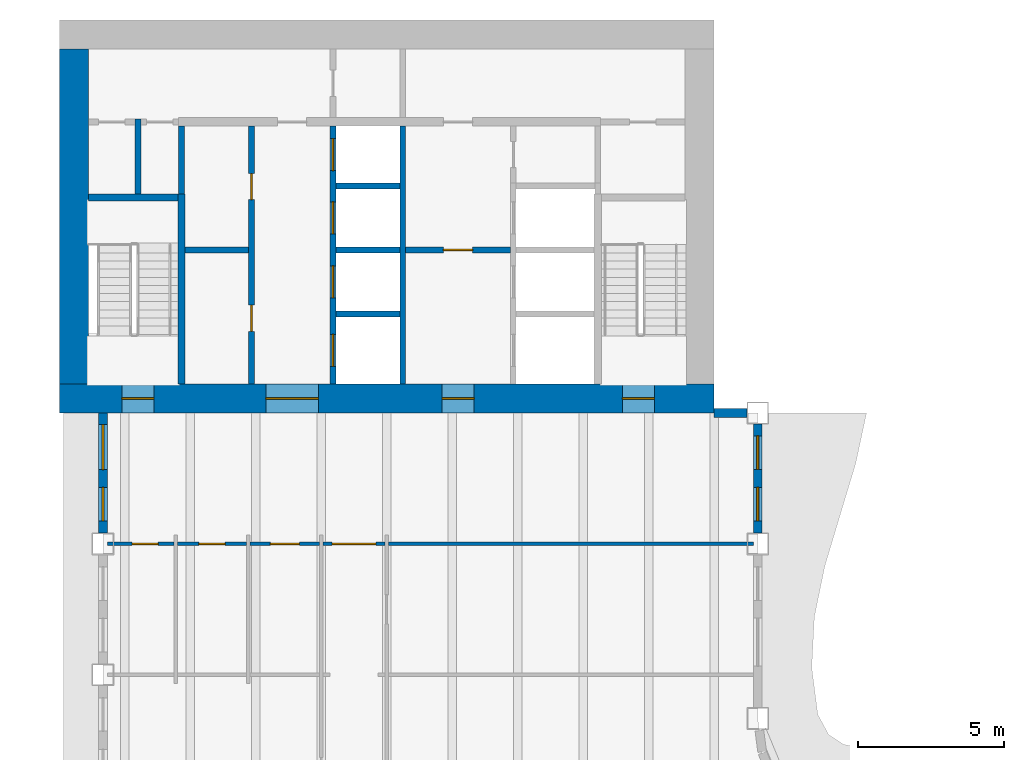
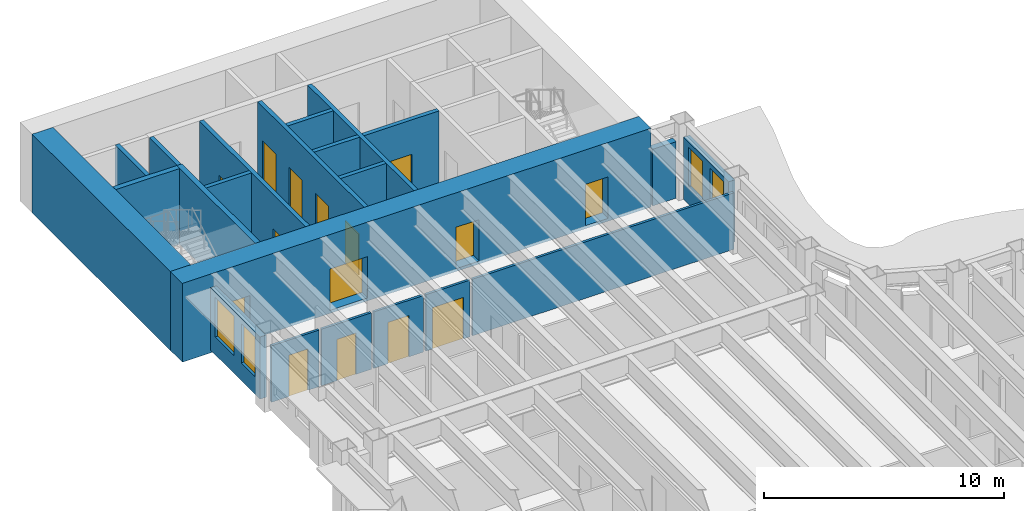
# One storey, part 9 of 17: 22 walls, 15 doors, 4 windows, 19 openings.
"""IFC4 building model written with IfcOpenShell, lengths in metres."""

from ifc_helpers import new_model, si_unit, direction, frame, frame_2d, origin, place, context, subcontext, project, spatial, rectangle, extrude, material, layer, layer_set, type_object, element, fill, save


model = new_model("IFC4")

# Units and contexts
model_context = context("Model", 3, precision=1e-05, world=origin(), true_north=direction((0.0, 1.0)))
body_context = subcontext(model_context, "Body", "Model", "MODEL_VIEW")
ifc_project = project(units=[si_unit("LENGTHUNIT", "METRE"), si_unit("AREAUNIT", "SQUARE_METRE"), si_unit("VOLUMEUNIT", "CUBIC_METRE"), si_unit("PLANEANGLEUNIT", "RADIAN"), si_unit("MASSUNIT", "GRAM", prefix="KILO")], contexts=[model_context])

# Site, building, storey
site_placement = place(None, origin())
site = spatial("IfcSite", under=ifc_project, at=site_placement, CompositionType="ELEMENT")
building_placement = place(site_placement, origin())
building = spatial("IfcBuilding", under=site, at=building_placement, Name="Sennacour Bend Tower", CompositionType="ELEMENT")
storey_placement = place(building_placement, frame((0.0, 0.0, 199.0)))
storey = spatial("IfcBuildingStorey", under=building, at=storey_placement, Name="L45", CompositionType="ELEMENT", Elevation=199.0)

# Wall, openings, doors
ifc_material_1 = material(Name="Concrete C60/75", Category="concrete")
ifc_layer_1 = layer(ifc_material_1, 1.0, Name="Concrete C60/75", Category="concrete")
ifc_layer_set_1 = layer_set([ifc_layer_1], Name="Concrete C60/75")
wall_type_1 = type_object("IfcWallType", Name="Core wall 1000 C60/75", PredefinedType="SHEAR", material=ifc_layer_set_1)
wall_1_placement = place(storey_placement, frame((0.0, 36.5, -0.14990234375), z_axis=(0.0, 0.0, 1.0), x_axis=(1.0, 0.0, 0.0)))
wall_1 = element("IfcWall", 1, at=wall_1_placement, inside=storey, type_object=wall_type_1, Name="Core B wall L45 S", PredefinedType="SHEAR", context=body_context, shape_type="SweptSolid", body=[
    extrude(rectangle(XDim=22.5, YDim=1.0, at=frame_2d((11.25, 0.0))), origin(), (0.0, 0.0, 1.0), 4.0),
])
opening_1_placement = place(wall_1_placement, frame((7.10009765625, 0.0, 0.14990234375)))
opening_1 = element("IfcOpeningElement", 2, at=opening_1_placement, cuts=wall_1, Name="Opening CD", PredefinedType="OPENING", context=body_context, shape_type="SweptSolid", body=[
    extrude(rectangle(XDim=1.800048828125, YDim=2.10009765625, at=frame_2d((0.89990234375, 1.050048828125))), frame((0.0, 0.510009765625, 0.0), z_axis=(0.0, -1.0, 0.0), x_axis=(1.0, 0.0, 0.0)), (0.0, 0.0, 1.0), 1.02001953125),
])
opening_2_placement = place(wall_1_placement, frame((13.14990234375, 0.0, 0.14990234375)))
opening_2 = element("IfcOpeningElement", 3, at=opening_2_placement, cuts=wall_1, Name="Opening FD", PredefinedType="OPENING", context=body_context, shape_type="SweptSolid", body=[
    extrude(rectangle(XDim=1.10009765625, YDim=2.10009765625, at=frame_2d((0.550048828125, 1.050048828125))), frame((0.0, 0.510009765625, 0.0), z_axis=(0.0, -1.0, 0.0), x_axis=(1.0, 0.0, 0.0)), (0.0, 0.0, 1.0), 1.02001953125),
])
opening_3_placement = place(wall_1_placement, frame((2.14990234375, 0.0, 0.14990234375)))
opening_3 = element("IfcOpeningElement", 4, at=opening_3_placement, cuts=wall_1, Name="Opening SD", PredefinedType="OPENING", context=body_context, shape_type="SweptSolid", body=[
    extrude(rectangle(XDim=1.10009765625, YDim=2.10009765625, at=frame_2d((0.550048828125, 1.050048828125))), frame((0.0, 0.510009765625, 0.0), z_axis=(0.0, -1.0, 0.0), x_axis=(1.0, 0.0, 0.0)), (0.0, 0.0, 1.0), 1.02001953125),
])
opening_4_placement = place(wall_1_placement, frame((19.35009765625, 0.0, 0.14990234375)))
opening_4 = element("IfcOpeningElement", 5, at=opening_4_placement, cuts=wall_1, Name="Opening SD", PredefinedType="OPENING", context=body_context, shape_type="SweptSolid", body=[
    extrude(rectangle(XDim=1.10009765625, YDim=2.10009765625, at=frame_2d((0.550048828125, 1.050048828125))), frame((0.0, 0.510009765625, 0.0), z_axis=(0.0, -1.0, 0.0), x_axis=(1.0, 0.0, 0.0)), (0.0, 0.0, 1.0), 1.02001953125),
])
ifc_material_2 = material(Name="Painted steel", Category="steel")
door_type_1 = type_object("IfcDoorType", Name="DR-FFL-1100", OperationType="NOTDEFINED", PredefinedType="DOOR", material=ifc_material_2)
door_1_placement = place(opening_2_placement, origin())
door_1 = element("IfcDoor", 6, at=door_1_placement, inside=storey, type_object=door_type_1, Name="Door", OperationType="SINGLE_SWING_RIGHT", OverallHeight=2.10009765625, OverallWidth=1.10009765625, PredefinedType="DOOR", context=body_context, shape_type="SweptSolid", body=[
    extrude(rectangle(XDim=1.10009765625, YDim=2.10009765625, at=frame_2d((0.550048828125, 1.050048828125))), frame((0.0, 0.02490234375, 0.0), z_axis=(0.0, -1.0, 0.0), x_axis=(1.0, 0.0, 0.0)), (0.0, 0.0, 1.0), 0.050048828125),
])
fill(opening_2, door_1)
door_type_2 = type_object("IfcDoorType", Name="DR-LOBBY-1800", OperationType="NOTDEFINED", PredefinedType="DOOR", material=ifc_material_2)
door_2_placement = place(opening_1_placement, origin())
door_2 = element("IfcDoor", 7, at=door_2_placement, inside=storey, type_object=door_type_2, Name="Door", OperationType="DOUBLE_DOOR_SINGLE_SWING", OverallHeight=2.10009765625, OverallWidth=1.800048828125, PredefinedType="DOOR", context=body_context, shape_type="SweptSolid", body=[
    extrude(rectangle(XDim=1.800048828125, YDim=2.10009765625, at=frame_2d((0.89990234375, 1.050048828125))), frame((0.0, 0.02490234375, 0.0), z_axis=(0.0, -1.0, 0.0), x_axis=(1.0, 0.0, 0.0)), (0.0, 0.0, 1.0), 0.050048828125),
])
fill(opening_1, door_2)
door_type_3 = type_object("IfcDoorType", Name="DR-STAIR-1100", OperationType="NOTDEFINED", PredefinedType="DOOR", material=ifc_material_2)
door_3_placement = place(opening_3_placement, origin())
door_3 = element("IfcDoor", 8, at=door_3_placement, inside=storey, type_object=door_type_3, Name="Door", OperationType="SINGLE_SWING_LEFT", OverallHeight=2.10009765625, OverallWidth=1.10009765625, PredefinedType="DOOR", context=body_context, shape_type="SweptSolid", body=[
    extrude(rectangle(XDim=1.10009765625, YDim=2.10009765625, at=frame_2d((0.550048828125, 1.050048828125))), frame((0.0, 0.02490234375, 0.0), z_axis=(0.0, -1.0, 0.0), x_axis=(1.0, 0.0, 0.0)), (0.0, 0.0, 1.0), 0.050048828125),
])
fill(opening_3, door_3)
door_4_placement = place(opening_4_placement, origin())
door_4 = element("IfcDoor", 9, at=door_4_placement, inside=storey, type_object=door_type_3, Name="Door", OperationType="SINGLE_SWING_RIGHT", OverallHeight=2.10009765625, OverallWidth=1.10009765625, PredefinedType="DOOR", context=body_context, shape_type="SweptSolid", body=[
    extrude(rectangle(XDim=1.10009765625, YDim=2.10009765625, at=frame_2d((0.550048828125, 1.050048828125))), frame((0.0, 0.02490234375, 0.0), z_axis=(0.0, -1.0, 0.0), x_axis=(1.0, 0.0, 0.0)), (0.0, 0.0, 1.0), 0.050048828125),
])
fill(opening_4, door_4)

# Wall
wall_2_placement = place(storey_placement, frame((0.5, 37.0, -0.14990234375), z_axis=(0.0, 0.0, 1.0), x_axis=(0.0, 1.0, 0.0)))
element("IfcWall", 10, at=wall_2_placement, inside=storey, type_object=wall_type_1, Name="Core B wall L45 W", PredefinedType="SHEAR", context=body_context, shape_type="SweptSolid", body=[
    extrude(rectangle(XDim=11.5, YDim=1.0, at=frame_2d((5.75, 0.0))), origin(), (0.0, 0.0, 1.0), 4.0),
])

# Wall, opening, door
ifc_material_3 = material(Name="Plasterboard partition on steel studs", Category="steel")
ifc_layer_2 = layer(ifc_material_3, 0.1201171875, Name="Plasterboard partition on steel studs", Category="steel")
ifc_layer_set_2 = layer_set([ifc_layer_2], Name="Plasterboard partition on steel studs")
wall_type_2 = type_object("IfcWallType", Name="Partition 120", PredefinedType="PARTITIONING", material=ifc_layer_set_2)
wall_3_placement = place(storey_placement, frame((1.64990234375, 31.5, 0.0), z_axis=(0.0, 0.0, 1.0), x_axis=(1.0, 0.0, 0.0)))
wall_3 = element("IfcWall", 11, at=wall_3_placement, inside=storey, type_object=wall_type_2, Name="P-L45-W086aa", PredefinedType="PARTITIONING", context=body_context, shape_type="SweptSolid", body=[
    extrude(rectangle(XDim=2.2900390625, YDim=0.1201171875, at=frame_2d((1.14501953125, 0.0))), origin(), (0.0, 0.0, 1.0), 2.8701171875),
])
opening_5_placement = place(wall_3_placement, frame((0.85009765625, 0.0, 0.0)))
opening_5 = element("IfcOpeningElement", 12, at=opening_5_placement, cuts=wall_3, Name="Opening WD", PredefinedType="OPENING", context=body_context, shape_type="SweptSolid", body=[
    extrude(rectangle(XDim=0.89990234375, YDim=2.10009765625, at=frame_2d((0.449951171875, 1.050048828125))), frame((0.0, 0.070068359375, 0.0), z_axis=(0.0, -1.0, 0.0), x_axis=(1.0, 0.0, 0.0)), (0.0, 0.0, 1.0), 0.14013671875),
])
ifc_material_4 = material(Name="Timber", Category="wood")
door_type_4 = type_object("IfcDoorType", Name="DR-WC-900", OperationType="NOTDEFINED", PredefinedType="DOOR", material=ifc_material_4)
door_5_placement = place(opening_5_placement, origin())
door_5 = element("IfcDoor", 13, at=door_5_placement, inside=storey, type_object=door_type_4, Name="Door", OperationType="SINGLE_SWING_RIGHT", OverallHeight=2.10009765625, OverallWidth=0.89990234375, PredefinedType="DOOR", context=body_context, shape_type="SweptSolid", body=[
    extrude(rectangle(XDim=0.89990234375, YDim=2.10009765625, at=frame_2d((0.449951171875, 1.050048828125))), frame((0.0, 0.02490234375, 0.0), z_axis=(0.0, -1.0, 0.0), x_axis=(1.0, 0.0, 0.0)), (0.0, 0.0, 1.0), 0.050048828125),
])
fill(opening_5, door_5)

wall_4_placement = place(storey_placement, frame((4.06005859375, 31.5, 0.0), z_axis=(0.0, 0.0, 1.0), x_axis=(1.0, 0.0, 0.0)))
wall_4 = element("IfcWall", 14, at=wall_4_placement, inside=storey, type_object=wall_type_2, Name="P-L45-W086ab", PredefinedType="PARTITIONING", context=body_context, shape_type="SweptSolid", body=[
    extrude(rectangle(XDim=2.3798828125, YDim=0.1201171875, at=frame_2d((1.18994140625, 0.0))), origin(), (0.0, 0.0, 1.0), 2.8701171875),
])
opening_6_placement = place(wall_4_placement, frame((0.739990234375, 0.0, 0.0)))
opening_6 = element("IfcOpeningElement", 15, at=opening_6_placement, cuts=wall_4, Name="Opening WD", PredefinedType="OPENING", context=body_context, shape_type="SweptSolid", body=[
    extrude(rectangle(XDim=0.89990234375, YDim=2.10009765625, at=frame_2d((0.449951171875, 1.050048828125))), frame((0.0, 0.070068359375, 0.0), z_axis=(0.0, -1.0, 0.0), x_axis=(1.0, 0.0, 0.0)), (0.0, 0.0, 1.0), 0.14013671875),
])
door_6_placement = place(opening_6_placement, origin())
door_6 = element("IfcDoor", 16, at=door_6_placement, inside=storey, type_object=door_type_4, Name="Door", OperationType="SINGLE_SWING_LEFT", OverallHeight=2.10009765625, OverallWidth=0.89990234375, PredefinedType="DOOR", context=body_context, shape_type="SweptSolid", body=[
    extrude(rectangle(XDim=0.89990234375, YDim=2.10009765625, at=frame_2d((0.449951171875, 1.050048828125))), frame((0.0, 0.02490234375, 0.0), z_axis=(0.0, -1.0, 0.0), x_axis=(1.0, 0.0, 0.0)), (0.0, 0.0, 1.0), 0.050048828125),
])
fill(opening_6, door_6)

wall_5_placement = place(storey_placement, frame((6.56005859375, 31.5, 0.0), z_axis=(0.0, 0.0, 1.0), x_axis=(1.0, 0.0, 0.0)))
wall_5 = element("IfcWall", 17, at=wall_5_placement, inside=storey, type_object=wall_type_2, Name="P-L45-W086ac", PredefinedType="PARTITIONING", context=body_context, shape_type="SweptSolid", body=[
    extrude(rectangle(XDim=2.3798828125, YDim=0.1201171875, at=frame_2d((1.18994140625, 0.0))), origin(), (0.0, 0.0, 1.0), 2.8701171875),
])
opening_7_placement = place(wall_5_placement, frame((0.68994140625, 0.0, 0.0)))
opening_7 = element("IfcOpeningElement", 18, at=opening_7_placement, cuts=wall_5, Name="Opening AD", PredefinedType="OPENING", context=body_context, shape_type="SweptSolid", body=[
    extrude(rectangle(XDim=1.0, YDim=2.10009765625, at=frame_2d((0.5, 1.050048828125))), frame((0.0, 0.070068359375, 0.0), z_axis=(0.0, -1.0, 0.0), x_axis=(1.0, 0.0, 0.0)), (0.0, 0.0, 1.0), 0.14013671875),
])
door_type_5 = type_object("IfcDoorType", Name="DR-ACC-WC-1000", OperationType="NOTDEFINED", PredefinedType="DOOR", material=ifc_material_4)
door_7_placement = place(opening_7_placement, origin())
door_7 = element("IfcDoor", 19, at=door_7_placement, inside=storey, type_object=door_type_5, Name="Door", OperationType="SINGLE_SWING_LEFT", OverallHeight=2.10009765625, OverallWidth=1.0, PredefinedType="DOOR", context=body_context, shape_type="SweptSolid", body=[
    extrude(rectangle(XDim=1.0, YDim=2.10009765625, at=frame_2d((0.5, 1.050048828125))), frame((0.0, 0.02490234375, 0.0), z_axis=(0.0, -1.0, 0.0), x_axis=(1.0, 0.0, 0.0)), (0.0, 0.0, 1.0), 0.050048828125),
])
fill(opening_7, door_7)

# Wall
wall_6_placement = place(storey_placement, frame((11.31005859375, 31.5, 0.0), z_axis=(0.0, 0.0, 1.0), x_axis=(1.0, 0.0, 0.0)))
element("IfcWall", 20, at=wall_6_placement, inside=storey, type_object=wall_type_2, Name="P-L45-W086ae", PredefinedType="PARTITIONING", context=body_context, shape_type="SweptSolid", body=[
    extrude(rectangle(XDim=12.5400390625, YDim=0.1201171875, at=frame_2d((6.27001953125, 0.0))), origin(), (0.0, 0.0, 1.0), 2.8701171875),
])

# Wall, opening, door
ifc_layer_3 = layer(ifc_material_3, 0.1201171875, Name="Plasterboard partition on steel studs", Category="steel")
ifc_layer_set_3 = layer_set([ifc_layer_3], Name="Plasterboard partition on steel studs")
wall_type_3 = type_object("IfcWallType", Name="Partition 120 EI 30", PredefinedType="PARTITIONING", material=ifc_layer_set_3)
wall_7_placement = place(storey_placement, frame((9.06005859375, 31.5, 0.0), z_axis=(0.0, 0.0, 1.0), x_axis=(1.0, 0.0, 0.0)))
wall_7 = element("IfcWall", 21, at=wall_7_placement, inside=storey, type_object=wall_type_3, Name="P-L45-W086ad", PredefinedType="PARTITIONING", context=body_context, shape_type="SweptSolid", body=[
    extrude(rectangle(XDim=2.1298828125, YDim=0.1201171875, at=frame_2d((1.06494140625, 0.0))), origin(), (0.0, 0.0, 1.0), 2.8701171875),
])
opening_8_placement = place(wall_7_placement, frame((0.31494140625, 0.0, 0.0)))
opening_8 = element("IfcOpeningElement", 22, at=opening_8_placement, cuts=wall_7, Name="Opening KD", PredefinedType="OPENING", context=body_context, shape_type="SweptSolid", body=[
    extrude(rectangle(XDim=1.5, YDim=2.10009765625, at=frame_2d((0.75, 1.050048828125))), frame((0.0, 0.070068359375, 0.0), z_axis=(0.0, -1.0, 0.0), x_axis=(1.0, 0.0, 0.0)), (0.0, 0.0, 1.0), 0.14013671875),
])
door_type_6 = type_object("IfcDoorType", Name="DR-CORRIDOR-1500", OperationType="NOTDEFINED", PredefinedType="DOOR", material=ifc_material_2)
door_8_placement = place(opening_8_placement, origin())
door_8 = element("IfcDoor", 23, at=door_8_placement, inside=storey, type_object=door_type_6, Name="Door", OperationType="SINGLE_SWING_LEFT", OverallHeight=2.10009765625, OverallWidth=1.5, PredefinedType="DOOR", context=body_context, shape_type="SweptSolid", body=[
    extrude(rectangle(XDim=1.5, YDim=2.10009765625, at=frame_2d((0.75, 1.050048828125))), frame((0.0, 0.02490234375, 0.0), z_axis=(0.0, -1.0, 0.0), x_axis=(1.0, 0.0, 0.0)), (0.0, 0.0, 1.0), 0.050048828125),
])
fill(opening_8, door_8)

# Walls
ifc_material_5 = material(Name="Fire-rated plasterboard partition on steel studs", Category="steel")
ifc_layer_4 = layer(ifc_material_5, 0.199951171875, Name="Fire-rated plasterboard partition on steel studs", Category="steel")
ifc_layer_set_4 = layer_set([ifc_layer_4], Name="Fire-rated plasterboard partition on steel studs")
wall_type_4 = type_object("IfcWallType", Name="Rated partition 200", PredefinedType="PARTITIONING", material=ifc_layer_set_4)
wall_8_placement = place(storey_placement, frame((2.699951171875, 43.52490234375, 0.0), z_axis=(0.0, 0.0, 1.0), x_axis=(0.0, 1.0, 0.0)))
element("IfcWall", 24, at=wall_8_placement, inside=storey, type_object=wall_type_4, Name="P-L45-W004", PredefinedType="PARTITIONING", context=body_context, shape_type="SweptSolid", body=[
    extrude(rectangle(XDim=2.5751953125, YDim=0.199951171875, at=frame_2d((1.28759765625, 0.0))), origin(), (0.0, 0.0, 1.0), 3.85009765625),
])
wall_9_placement = place(storey_placement, frame((4.199951171875, 43.52490234375, 0.0), z_axis=(0.0, 0.0, 1.0), x_axis=(0.0, 1.0, 0.0)))
element("IfcWall", 25, at=wall_9_placement, inside=storey, type_object=wall_type_4, Name="P-L45-W007", PredefinedType="PARTITIONING", context=body_context, shape_type="SweptSolid", body=[
    extrude(rectangle(XDim=2.3251953125, YDim=0.199951171875, at=frame_2d((1.16259765625, 0.0))), origin(), (0.0, 0.0, 1.0), 3.85009765625),
])

# Wall, openings, doors
wall_10_placement = place(storey_placement, frame((6.60009765625, 37.0, 0.0), z_axis=(0.0, 0.0, 1.0), x_axis=(0.0, 1.0, 0.0)))
wall_10 = element("IfcWall", 26, at=wall_10_placement, inside=storey, type_object=wall_type_4, Name="P-L45-W009", PredefinedType="PARTITIONING", context=body_context, shape_type="SweptSolid", body=[
    extrude(rectangle(XDim=8.85009765625, YDim=0.199951171875, at=frame_2d((4.425048828125, 0.0))), origin(), (0.0, 0.0, 1.0), 3.85009765625),
])
opening_9_placement = place(wall_10_placement, frame((1.800048828125, 0.0, 0.0)))
opening_9 = element("IfcOpeningElement", 27, at=opening_9_placement, cuts=wall_10, Name="Opening SV", PredefinedType="OPENING", context=body_context, shape_type="SweptSolid", body=[
    extrude(rectangle(XDim=0.89990234375, YDim=2.10009765625, at=frame_2d((0.449951171875, 1.050048828125))), frame((0.0, 0.10986328125, 0.0), z_axis=(0.0, -1.0, 0.0), x_axis=(1.0, 0.0, 0.0)), (0.0, 0.0, 1.0), 0.219970703125),
])
opening_10_placement = place(wall_10_placement, frame((6.324951171875, 0.0, 0.0)))
opening_10 = element("IfcOpeningElement", 28, at=opening_10_placement, cuts=wall_10, Name="Opening SV", PredefinedType="OPENING", context=body_context, shape_type="SweptSolid", body=[
    extrude(rectangle(XDim=0.89990234375, YDim=2.10009765625, at=frame_2d((0.449951171875, 1.050048828125))), frame((0.0, 0.10986328125, 0.0), z_axis=(0.0, -1.0, 0.0), x_axis=(1.0, 0.0, 0.0)), (0.0, 0.0, 1.0), 0.219970703125),
])
door_type_7 = type_object("IfcDoorType", Name="DR-SERVICE-900", OperationType="NOTDEFINED", PredefinedType="DOOR", material=ifc_material_2)
door_9_placement = place(opening_9_placement, origin())
door_9 = element("IfcDoor", 29, at=door_9_placement, inside=storey, type_object=door_type_7, Name="Door", OperationType="SINGLE_SWING_LEFT", OverallHeight=2.10009765625, OverallWidth=0.89990234375, PredefinedType="DOOR", context=body_context, shape_type="SweptSolid", body=[
    extrude(rectangle(XDim=0.89990234375, YDim=2.10009765625, at=frame_2d((0.449951171875, 1.050048828125))), frame((0.0, 0.02490234375, 0.0), z_axis=(0.0, -1.0, 0.0), x_axis=(1.0, 0.0, 0.0)), (0.0, 0.0, 1.0), 0.050048828125),
])
fill(opening_9, door_9)
door_10_placement = place(opening_10_placement, origin())
door_10 = element("IfcDoor", 30, at=door_10_placement, inside=storey, type_object=door_type_7, Name="Door", OperationType="SINGLE_SWING_RIGHT", OverallHeight=2.10009765625, OverallWidth=0.89990234375, PredefinedType="DOOR", context=body_context, shape_type="SweptSolid", body=[
    extrude(rectangle(XDim=0.89990234375, YDim=2.10009765625, at=frame_2d((0.449951171875, 1.050048828125))), frame((0.0, 0.02490234375, 0.0), z_axis=(0.0, -1.0, 0.0), x_axis=(1.0, 0.0, 0.0)), (0.0, 0.0, 1.0), 0.050048828125),
])
fill(opening_10, door_10)

# Wall
wall_11_placement = place(storey_placement, frame((4.324951171875, 41.60009765625, 0.0), z_axis=(0.0, 0.0, 1.0), x_axis=(1.0, 0.0, 0.0)))
element("IfcWall", 31, at=wall_11_placement, inside=storey, type_object=wall_type_4, Name="P-L45-W090", PredefinedType="PARTITIONING", context=body_context, shape_type="SweptSolid", body=[
    extrude(rectangle(XDim=2.175048828125, YDim=0.199951171875, at=frame_2d((1.08740234375, 0.0))), origin(), (0.0, 0.0, 1.0), 3.85009765625),
])

# Wall, opening, door
ifc_layer_5 = layer(ifc_material_5, 0.199951171875, Name="Fire-rated plasterboard partition on steel studs", Category="steel")
ifc_layer_set_5 = layer_set([ifc_layer_5], Name="Fire-rated plasterboard partition on steel studs")
wall_type_5 = type_object("IfcWallType", Name="Rated partition 200 EI 90", PredefinedType="PARTITIONING", material=ifc_layer_set_5)
wall_12_placement = place(storey_placement, frame((11.89990234375, 41.60009765625, 0.0), z_axis=(0.0, 0.0, 1.0), x_axis=(1.0, 0.0, 0.0)))
wall_12 = element("IfcWall", 32, at=wall_12_placement, inside=storey, type_object=wall_type_5, Name="P-L45-W092", PredefinedType="PARTITIONING", context=body_context, shape_type="SweptSolid", body=[
    extrude(rectangle(XDim=3.60009765625, YDim=0.199951171875, at=frame_2d((1.800048828125, 0.0))), origin(), (0.0, 0.0, 1.0), 3.85009765625),
])
opening_11_placement = place(wall_12_placement, frame((1.300048828125, 0.0, 0.0)))
opening_11 = element("IfcOpeningElement", 33, at=opening_11_placement, cuts=wall_12, Name="Opening FD2", PredefinedType="OPENING", context=body_context, shape_type="SweptSolid", body=[
    extrude(rectangle(XDim=1.0, YDim=2.10009765625, at=frame_2d((0.5, 1.050048828125))), frame((0.0, 0.10986328125, 0.0), z_axis=(0.0, -1.0, 0.0), x_axis=(1.0, 0.0, 0.0)), (0.0, 0.0, 1.0), 0.219970703125),
])
door_type_8 = type_object("IfcDoorType", Name="DR-FFL-1000", OperationType="NOTDEFINED", PredefinedType="DOOR", material=ifc_material_2)
door_11_placement = place(opening_11_placement, origin())
door_11 = element("IfcDoor", 34, at=door_11_placement, inside=storey, type_object=door_type_8, Name="Door", OperationType="SINGLE_SWING_RIGHT", OverallHeight=2.10009765625, OverallWidth=1.0, PredefinedType="DOOR", context=body_context, shape_type="SweptSolid", body=[
    extrude(rectangle(XDim=1.0, YDim=2.10009765625, at=frame_2d((0.5, 1.050048828125))), frame((0.0, 0.02490234375, 0.0), z_axis=(0.0, -1.0, 0.0), x_axis=(1.0, 0.0, 0.0)), (0.0, 0.0, 1.0), 0.050048828125),
])
fill(opening_11, door_11)

# Wall, openings, windows
ifc_material_6 = material(Name="Warm limestone cladding", Category="masonry")
ifc_layer_6 = layer(ifc_material_6, 0.050048828125, Name="Warm limestone cladding", Category="masonry")
ifc_material_7 = material(Name="Precast concrete C40/50", Category="concrete")
ifc_layer_7 = layer(ifc_material_7, 0.25, Name="Precast concrete C40/50", Category="concrete")
ifc_layer_set_6 = layer_set([ifc_layer_6, ifc_layer_7], Name="Precast concrete C40/50 with limestone cladding")
wall_type_6 = type_object("IfcWallType", Name="STONE-CLAD PRECAST SPANDREL 300", PredefinedType="STANDARD", material=ifc_layer_set_6)
wall_13_placement = place(storey_placement, frame((24.0, 31.875, 0.0), z_axis=(0.0, 0.0, 1.0), x_axis=(0.0, 1.0, 0.0)))
wall_13 = element("IfcWall", 35, at=wall_13_placement, inside=storey, type_object=wall_type_6, Name="Stone spandrel and pier wall L45 13.01", PredefinedType="STANDARD", context=body_context, shape_type="SweptSolid", body=[
    extrude(rectangle(XDim=3.75, YDim=0.300048828125, at=frame_2d((1.875, 0.0))), origin(), (0.0, 0.0, 1.0), 3.156982421875),
])
opening_12_placement = place(wall_13_placement, frame((0.41259765625, 0.0, 0.89990234375)))
opening_12 = element("IfcOpeningElement", 36, at=opening_12_placement, cuts=wall_13, Name="Opening W24", PredefinedType="OPENING", context=body_context, shape_type="SweptSolid", body=[
    extrude(rectangle(XDim=1.14990234375, YDim=2.0, at=frame_2d((0.574951171875, 1.0))), frame((0.0, 0.16015625, 0.0), z_axis=(0.0, -1.0, 0.0), x_axis=(1.0, 0.0, 0.0)), (0.0, 0.0, 1.0), 0.320068359375),
])
opening_13_placement = place(wall_13_placement, frame((2.1875, 0.0, 0.89990234375)))
opening_13 = element("IfcOpeningElement", 37, at=opening_13_placement, cuts=wall_13, Name="Opening W24", PredefinedType="OPENING", context=body_context, shape_type="SweptSolid", body=[
    extrude(rectangle(XDim=1.14990234375, YDim=2.0, at=frame_2d((0.574951171875, 1.0))), frame((0.0, 0.16015625, 0.0), z_axis=(0.0, -1.0, 0.0), x_axis=(1.0, 0.0, 0.0)), (0.0, 0.0, 1.0), 0.320068359375),
])
ifc_material_8 = material(Name="Clear low-emissivity glass", Category="glass")
window_type_1 = type_object("IfcWindowType", Name="WIN-RIBBON-1150x2000", PartitioningType="SINGLE_PANEL", PredefinedType="WINDOW", material=ifc_material_8)
window_1_placement = place(opening_12_placement, origin())
window_1 = element("IfcWindow", 38, at=window_1_placement, inside=storey, type_object=window_type_1, Name="Ribbon window L45 13.01.0", OverallHeight=2.0, OverallWidth=1.14990234375, PartitioningType="SINGLE_PANEL", PredefinedType="WINDOW", context=body_context, shape_type="SweptSolid", body=[
    extrude(rectangle(XDim=1.14990234375, YDim=2.0, at=frame_2d((0.574951171875, 1.0))), frame((0.0, 0.030029296875, 0.0), z_axis=(0.0, -1.0, 0.0), x_axis=(1.0, 0.0, 0.0)), (0.0, 0.0, 1.0), 0.06005859375),
])
fill(opening_12, window_1)
window_2_placement = place(opening_13_placement, origin())
window_2 = element("IfcWindow", 39, at=window_2_placement, inside=storey, type_object=window_type_1, Name="Ribbon window L45 13.01.1", OverallHeight=2.0, OverallWidth=1.14990234375, PartitioningType="SINGLE_PANEL", PredefinedType="WINDOW", context=body_context, shape_type="SweptSolid", body=[
    extrude(rectangle(XDim=1.14990234375, YDim=2.0, at=frame_2d((0.574951171875, 1.0))), frame((0.0, 0.030029296875, 0.0), z_axis=(0.0, -1.0, 0.0), x_axis=(1.0, 0.0, 0.0)), (0.0, 0.0, 1.0), 0.06005859375),
])
fill(opening_13, window_2)

# Wall
wall_14_placement = place(storey_placement, frame((23.625, 36.0, 0.0), z_axis=(0.0, 0.0, 1.0), x_axis=(-1.0, 0.0, 0.0)))
element("IfcWall", 40, at=wall_14_placement, inside=storey, type_object=wall_type_6, Name="Stone spandrel and pier wall L45 14.00", PredefinedType="STANDARD", context=body_context, shape_type="SweptSolid", body=[
    extrude(rectangle(XDim=1.125, YDim=0.300048828125, at=frame_2d((0.5625, 0.0))), origin(), (0.0, 0.0, 1.0), 2.8701171875),
])

# Wall, openings, windows
wall_15_placement = place(storey_placement, frame((1.5, 36.0, 0.0), z_axis=(0.0, 0.0, 1.0), x_axis=(0.0, -1.0, 0.0)))
wall_15 = element("IfcWall", 41, at=wall_15_placement, inside=storey, type_object=wall_type_6, Name="Stone spandrel and pier wall L45 19.00", PredefinedType="STANDARD", context=body_context, shape_type="SweptSolid", body=[
    extrude(rectangle(XDim=4.125, YDim=0.300048828125, at=frame_2d((2.0625, 0.0))), origin(), (0.0, 0.0, 1.0), 3.156982421875),
])
opening_14_placement = place(wall_15_placement, frame((0.39990234375, 0.0, 0.89990234375)))
opening_14 = element("IfcOpeningElement", 42, at=opening_14_placement, cuts=wall_15, Name="Opening W9", PredefinedType="OPENING", context=body_context, shape_type="SweptSolid", body=[
    extrude(rectangle(XDim=1.550048828125, YDim=2.0, at=frame_2d((0.77490234375, 1.0))), frame((0.0, 0.16015625, 0.0), z_axis=(0.0, -1.0, 0.0), x_axis=(1.0, 0.0, 0.0)), (0.0, 0.0, 1.0), 0.320068359375),
])
opening_15_placement = place(wall_15_placement, frame((2.5625, 0.0, 0.89990234375)))
opening_15 = element("IfcOpeningElement", 43, at=opening_15_placement, cuts=wall_15, Name="Opening W24", PredefinedType="OPENING", context=body_context, shape_type="SweptSolid", body=[
    extrude(rectangle(XDim=1.14990234375, YDim=2.0, at=frame_2d((0.574951171875, 1.0))), frame((0.0, 0.16015625, 0.0), z_axis=(0.0, -1.0, 0.0), x_axis=(1.0, 0.0, 0.0)), (0.0, 0.0, 1.0), 0.320068359375),
])
window_3_placement = place(opening_15_placement, origin())
window_3 = element("IfcWindow", 44, at=window_3_placement, inside=storey, type_object=window_type_1, Name="Ribbon window L45 19.00.1", OverallHeight=2.0, OverallWidth=1.14990234375, PartitioningType="SINGLE_PANEL", PredefinedType="WINDOW", context=body_context, shape_type="SweptSolid", body=[
    extrude(rectangle(XDim=1.14990234375, YDim=2.0, at=frame_2d((0.574951171875, 1.0))), frame((0.0, 0.030029296875, 0.0), z_axis=(0.0, -1.0, 0.0), x_axis=(1.0, 0.0, 0.0)), (0.0, 0.0, 1.0), 0.06005859375),
])
fill(opening_15, window_3)
window_type_2 = type_object("IfcWindowType", Name="WIN-RIBBON-1550x2000", PartitioningType="SINGLE_PANEL", PredefinedType="WINDOW", material=ifc_material_8)
window_4_placement = place(opening_14_placement, origin())
window_4 = element("IfcWindow", 45, at=window_4_placement, inside=storey, type_object=window_type_2, Name="Ribbon window L45 19.00.0", OverallHeight=2.0, OverallWidth=1.550048828125, PartitioningType="SINGLE_PANEL", PredefinedType="WINDOW", context=body_context, shape_type="SweptSolid", body=[
    extrude(rectangle(XDim=1.550048828125, YDim=2.0, at=frame_2d((0.77490234375, 1.0))), frame((0.0, 0.030029296875, 0.0), z_axis=(0.0, -1.0, 0.0), x_axis=(1.0, 0.0, 0.0)), (0.0, 0.0, 1.0), 0.06005859375),
])
fill(opening_14, window_4)

# Wall, openings, doors
ifc_material_9 = material(Name="Concrete C50/60", Category="concrete")
ifc_layer_8 = layer(ifc_material_9, 0.199951171875, Name="Concrete C50/60", Category="concrete")
ifc_layer_set_7 = layer_set([ifc_layer_8], Name="Concrete C50/60")
wall_type_7 = type_object("IfcWallType", Name="Shaft wall 200", PredefinedType="SOLIDWALL", material=ifc_layer_set_7)
wall_16_placement = place(storey_placement, frame((9.39990234375, 37.0, 0.0), z_axis=(0.0, 0.0, 1.0), x_axis=(0.0, 1.0, 0.0)))
wall_16 = element("IfcWall", 46, at=wall_16_placement, inside=storey, type_object=wall_type_7, Name="P-L45-W014", PredefinedType="SOLIDWALL", context=body_context, shape_type="SweptSolid", body=[
    extrude(rectangle(XDim=8.85009765625, YDim=0.199951171875, at=frame_2d((4.425048828125, 0.0))), origin(), (0.0, 0.0, 1.0), 3.85009765625),
])
opening_16_placement = place(wall_16_placement, frame((0.60009765625, 0.0, 0.011962890625)))
opening_16 = element("IfcOpeningElement", 47, at=opening_16_placement, cuts=wall_16, Name="Opening LD", PredefinedType="OPENING", context=body_context, shape_type="SweptSolid", body=[
    extrude(rectangle(XDim=1.10009765625, YDim=2.10009765625, at=frame_2d((0.550048828125, 1.050048828125))), frame((0.0, 0.10986328125, 0.0), z_axis=(0.0, -1.0, 0.0), x_axis=(1.0, 0.0, 0.0)), (0.0, 0.0, 1.0), 0.219970703125),
])
opening_17_placement = place(wall_16_placement, frame((2.949951171875, 0.0, 0.011962890625)))
opening_17 = element("IfcOpeningElement", 48, at=opening_17_placement, cuts=wall_16, Name="Opening LD", PredefinedType="OPENING", context=body_context, shape_type="SweptSolid", body=[
    extrude(rectangle(XDim=1.10009765625, YDim=2.10009765625, at=frame_2d((0.550048828125, 1.050048828125))), frame((0.0, 0.10986328125, 0.0), z_axis=(0.0, -1.0, 0.0), x_axis=(1.0, 0.0, 0.0)), (0.0, 0.0, 1.0), 0.219970703125),
])
opening_18_placement = place(wall_16_placement, frame((5.14990234375, 0.0, 0.011962890625)))
opening_18 = element("IfcOpeningElement", 49, at=opening_18_placement, cuts=wall_16, Name="Opening LD", PredefinedType="OPENING", context=body_context, shape_type="SweptSolid", body=[
    extrude(rectangle(XDim=1.10009765625, YDim=2.10009765625, at=frame_2d((0.550048828125, 1.050048828125))), frame((0.0, 0.10986328125, 0.0), z_axis=(0.0, -1.0, 0.0), x_axis=(1.0, 0.0, 0.0)), (0.0, 0.0, 1.0), 0.219970703125),
])
opening_19_placement = place(wall_16_placement, frame((7.324951171875, 0.0, 0.011962890625)))
opening_19 = element("IfcOpeningElement", 50, at=opening_19_placement, cuts=wall_16, Name="Opening LD", PredefinedType="OPENING", context=body_context, shape_type="SweptSolid", body=[
    extrude(rectangle(XDim=1.10009765625, YDim=2.10009765625, at=frame_2d((0.550048828125, 1.050048828125))), frame((0.0, 0.10986328125, 0.0), z_axis=(0.0, -1.0, 0.0), x_axis=(1.0, 0.0, 0.0)), (0.0, 0.0, 1.0), 0.219970703125),
])
ifc_material_10 = material(Name="Stainless steel", Category="steel")
door_type_9 = type_object("IfcDoorType", Name="DR-LANDING-1100", OperationType="NOTDEFINED", PredefinedType="DOOR", material=ifc_material_10)
door_12_placement = place(opening_16_placement, origin())
door_12 = element("IfcDoor", 51, at=door_12_placement, inside=storey, type_object=door_type_9, Name="Lift landing door MB1", OperationType="SLIDING_TO_RIGHT", OverallHeight=2.10009765625, OverallWidth=1.10009765625, PredefinedType="DOOR", context=body_context, shape_type="SweptSolid", body=[
    extrude(rectangle(XDim=1.10009765625, YDim=2.10009765625, at=frame_2d((0.550048828125, 1.050048828125))), frame((0.0, 0.02490234375, 0.0), z_axis=(0.0, -1.0, 0.0), x_axis=(1.0, 0.0, 0.0)), (0.0, 0.0, 1.0), 0.050048828125),
])
fill(opening_16, door_12)
door_13_placement = place(opening_17_placement, origin())
door_13 = element("IfcDoor", 52, at=door_13_placement, inside=storey, type_object=door_type_9, Name="Lift landing door MB2", OperationType="SLIDING_TO_LEFT", OverallHeight=2.10009765625, OverallWidth=1.10009765625, PredefinedType="DOOR", context=body_context, shape_type="SweptSolid", body=[
    extrude(rectangle(XDim=1.10009765625, YDim=2.10009765625, at=frame_2d((0.550048828125, 1.050048828125))), frame((0.0, 0.02490234375, 0.0), z_axis=(0.0, -1.0, 0.0), x_axis=(1.0, 0.0, 0.0)), (0.0, 0.0, 1.0), 0.050048828125),
])
fill(opening_17, door_13)
door_14_placement = place(opening_18_placement, origin())
door_14 = element("IfcDoor", 53, at=door_14_placement, inside=storey, type_object=door_type_9, Name="Lift landing door MB3", OperationType="SLIDING_TO_RIGHT", OverallHeight=2.10009765625, OverallWidth=1.10009765625, PredefinedType="DOOR", context=body_context, shape_type="SweptSolid", body=[
    extrude(rectangle(XDim=1.10009765625, YDim=2.10009765625, at=frame_2d((0.550048828125, 1.050048828125))), frame((0.0, 0.02490234375, 0.0), z_axis=(0.0, -1.0, 0.0), x_axis=(1.0, 0.0, 0.0)), (0.0, 0.0, 1.0), 0.050048828125),
])
fill(opening_18, door_14)
door_15_placement = place(opening_19_placement, origin())
door_15 = element("IfcDoor", 54, at=door_15_placement, inside=storey, type_object=door_type_9, Name="Lift landing door MB4", OperationType="SLIDING_TO_LEFT", OverallHeight=2.10009765625, OverallWidth=1.10009765625, PredefinedType="DOOR", context=body_context, shape_type="SweptSolid", body=[
    extrude(rectangle(XDim=1.10009765625, YDim=2.10009765625, at=frame_2d((0.550048828125, 1.050048828125))), frame((0.0, 0.02490234375, 0.0), z_axis=(0.0, -1.0, 0.0), x_axis=(1.0, 0.0, 0.0)), (0.0, 0.0, 1.0), 0.050048828125),
])
fill(opening_19, door_15)

# Walls
wall_17_placement = place(storey_placement, frame((11.800048828125, 37.0, 0.0), z_axis=(0.0, 0.0, 1.0), x_axis=(0.0, 1.0, 0.0)))
element("IfcWall", 55, at=wall_17_placement, inside=storey, type_object=wall_type_7, Name="P-L45-W017", PredefinedType="SOLIDWALL", context=body_context, shape_type="SweptSolid", body=[
    extrude(rectangle(XDim=8.85009765625, YDim=0.199951171875, at=frame_2d((4.425048828125, 0.0))), origin(), (0.0, 0.0, 1.0), 3.85009765625),
])
for number, where, z_axis, x_axis, name in (
    (56, (9.5, 39.39990234375, 0.0), (0.0, 0.0, 1.0), (1.0, 0.0, 0.0), "P-L45-W088"),
    (57, (9.5, 41.60009765625, 0.0), (0.0, 0.0, 1.0), (1.0, 0.0, 0.0), "P-L45-W091"),
    (58, (9.5, 43.800048828125, 0.0), (0.0, 0.0, 1.0), (1.0, 0.0, 0.0), "P-L45-W096"),
):
    element("IfcWall", number, at=place(storey_placement, frame(where, z_axis=z_axis, x_axis=x_axis)), inside=storey, type_object=wall_type_7, Name=name, PredefinedType="SOLIDWALL", context=body_context, shape_type="SweptSolid", body=[
        extrude(rectangle(XDim=2.199951171875, YDim=0.199951171875, at=frame_2d((1.10009765625, 0.0))), origin(), (0.0, 0.0, 1.0), 3.85009765625),
    ])
ifc_layer_9 = layer(ifc_material_1, 0.25, Name="Concrete C60/75", Category="concrete")
ifc_layer_set_8 = layer_set([ifc_layer_9], Name="Concrete C60/75")
wall_type_8 = type_object("IfcWallType", Name="Stair wall 250", PredefinedType="SHEAR", material=ifc_layer_set_8)
wall_18_placement = place(storey_placement, frame((4.199951171875, 37.0, 0.0), z_axis=(0.0, 0.0, 1.0), x_axis=(0.0, 1.0, 0.0)))
element("IfcWall", 59, at=wall_18_placement, inside=storey, type_object=wall_type_8, Name="P-L45-W006", PredefinedType="SHEAR", context=body_context, shape_type="SweptSolid", body=[
    extrude(rectangle(XDim=6.52490234375, YDim=0.25, at=frame_2d((3.262451171875, 0.0))), origin(), (0.0, 0.0, 1.0), 3.85009765625),
])
wall_19_placement = place(storey_placement, frame((1.0, 43.39990234375, 0.0), z_axis=(0.0, 0.0, 1.0), x_axis=(1.0, 0.0, 0.0)))
element("IfcWall", 60, at=wall_19_placement, inside=storey, type_object=wall_type_8, Name="P-L45-W094", PredefinedType="SHEAR", context=body_context, shape_type="SweptSolid", body=[
    extrude(rectangle(XDim=3.074951171875, YDim=0.25, at=frame_2d((1.53759765625, 0.0))), origin(), (0.0, 0.0, 1.0), 3.85009765625),
])

save(model, "model.ifc")
